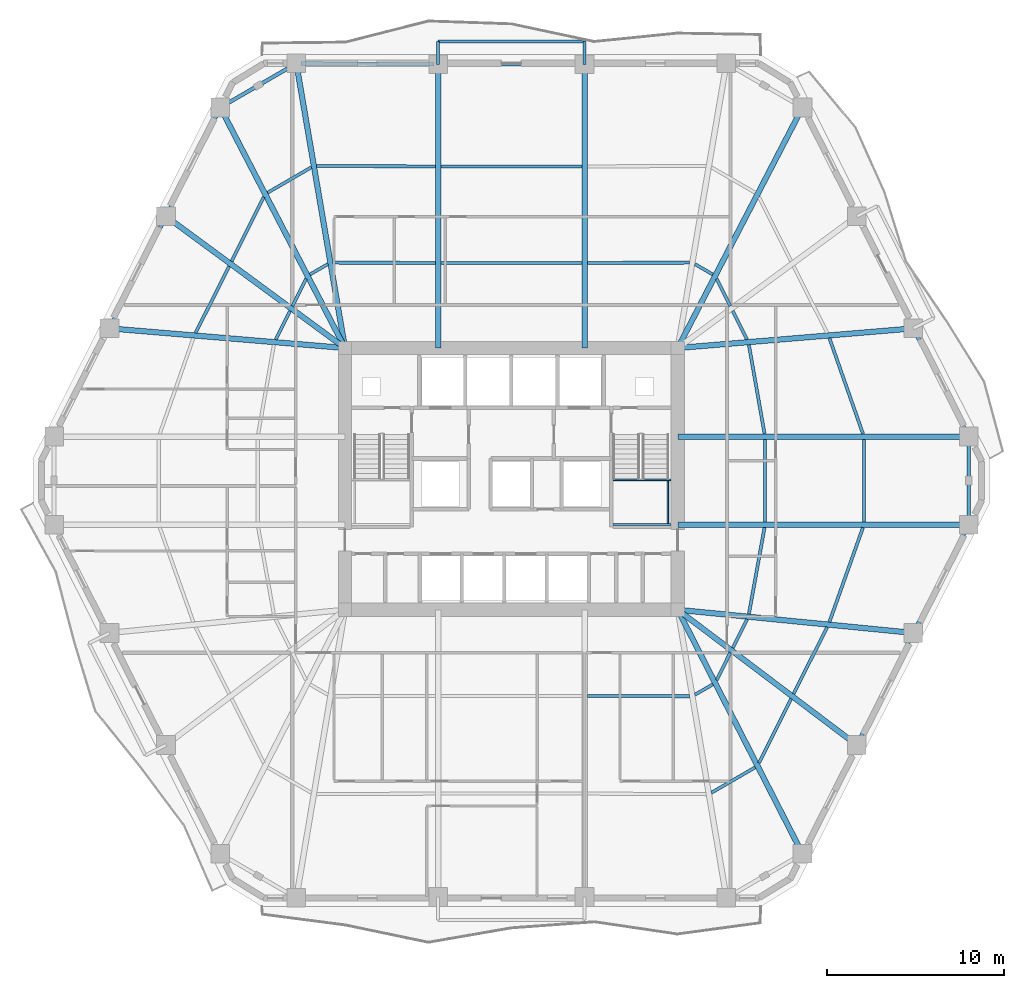
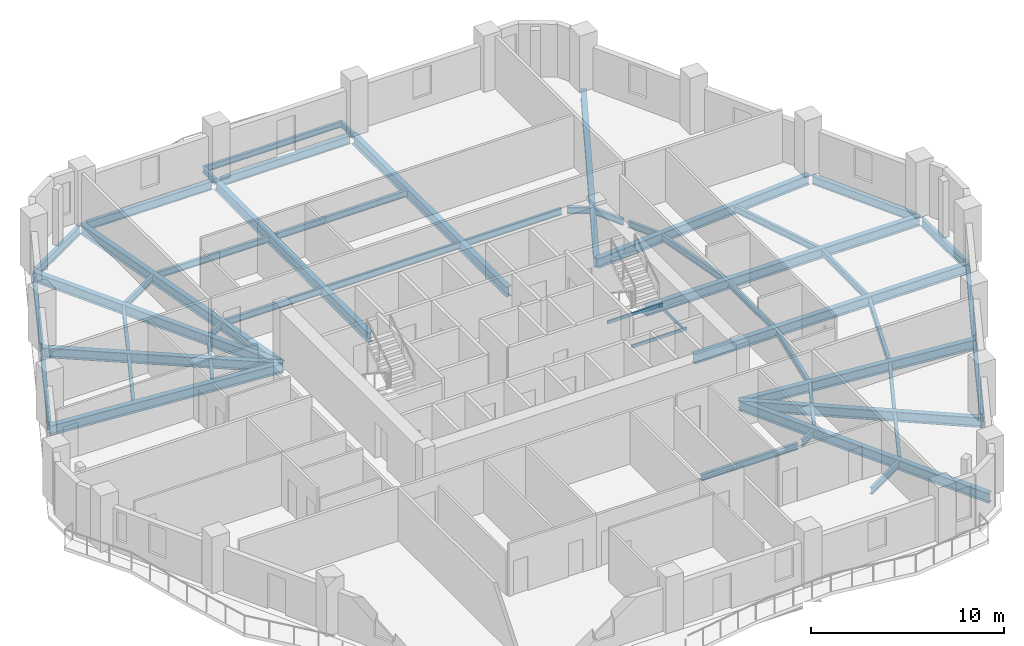
# One storey, part 2 of 11: 55 beams.
"""IFC4 building model written with IfcOpenShell, lengths in metres."""

from ifc_helpers import new_model, si_unit, direction, frame, origin, origin_2d, place, context, subcontext, project, spatial, hollow_rectangle, i_section, extrude, material, material_profile, profile_set, type_object, element, save


model = new_model("IFC4")

# Units and contexts
model_context = context("Model", 3, precision=1e-05, world=origin(), true_north=direction((0.0, 1.0)))
body_context = subcontext(model_context, "Body", "Model", "MODEL_VIEW")
ifc_project = project(units=[si_unit("LENGTHUNIT", "METRE"), si_unit("AREAUNIT", "SQUARE_METRE"), si_unit("VOLUMEUNIT", "CUBIC_METRE"), si_unit("PLANEANGLEUNIT", "RADIAN"), si_unit("MASSUNIT", "GRAM", prefix="KILO")], contexts=[model_context])

# Site, building, storey
site_placement = place(None, origin())
site = spatial("IfcSite", under=ifc_project, at=site_placement, CompositionType="ELEMENT")
building_placement = place(site_placement, origin())
building = spatial("IfcBuilding", under=site, at=building_placement, Name="Cinnabar Lancet Tower", CompositionType="ELEMENT")
storey_placement = place(building_placement, frame((0.0, 0.0, 90.64990234375)))
storey = spatial("IfcBuildingStorey", under=building, at=storey_placement, Name="L23", CompositionType="ELEMENT", Elevation=90.64990234375)

# Beams
ifc_material_1 = material(Name="Structural steel S355", Category="steel")
ifc_material_profile_1 = material_profile(ifc_material_1, i_section(OverallWidth=0.177978515625, OverallDepth=0.406494140625, WebThickness=0.0078125, FlangeThickness=0.0126953125, FilletRadius=0.01025390625, at=origin_2d()), Name="UKB 406x178x60")
ifc_profile_set_1 = profile_set([ifc_material_profile_1], Name="Structural steel S355")
beam_type_1 = type_object("IfcBeamType", Name="STR-BM-JST-406", PredefinedType="JOIST", material=ifc_profile_set_1)
beam_1_placement = place(storey_placement, frame((36.676025390625, 13.669921875, -0.4228515625), z_axis=(0.999996664369, -0.002582876594, 0.0), x_axis=(0.002582876594, 0.999996664369, 0.0)))
element("IfcBeam", 1, at=beam_1_placement, inside=storey, type_object=beam_type_1, Name="L23 Secondary Floor Joist 14", PredefinedType="JOIST", context=body_context, shape_type="SweptSolid", body=[
    extrude(i_section(OverallWidth=0.177978515625, OverallDepth=0.406494140625, WebThickness=0.0078125, FlangeThickness=0.0126953125, FilletRadius=0.01025390625, at=origin_2d()), origin(), (0.0, 0.0, 1.0), 5.765869140625),
])
beam_2_placement = place(storey_placement, frame((43.672119140625, 8.216064453125, -0.4228515625), z_axis=(0.865092099041, 0.501613058219, 0.0), x_axis=(-0.501613058219, 0.865092099041, 0.0)))
element("IfcBeam", 2, at=beam_2_placement, inside=storey, type_object=beam_type_1, Name="L23 Secondary Floor Joist 15", PredefinedType="JOIST", context=body_context, shape_type="SweptSolid", body=[
    extrude(i_section(OverallWidth=0.177978515625, OverallDepth=0.406494140625, WebThickness=0.0078125, FlangeThickness=0.0126953125, FilletRadius=0.01025390625, at=origin_2d()), origin(), (0.0, 0.0, 1.0), 2.8525390625),
])
beam_3_placement = place(storey_placement, frame((42.739013671875, 13.736083984375, -0.4228515625), z_axis=(0.865192550274, 0.50143977799, 0.0), x_axis=(-0.50143977799, 0.865192550274, 0.0)))
element("IfcBeam", 3, at=beam_3_placement, inside=storey, type_object=beam_type_1, Name="L23 Secondary Floor Joist 16", PredefinedType="JOIST", context=body_context, shape_type="SweptSolid", body=[
    extrude(i_section(OverallWidth=0.177978515625, OverallDepth=0.406494140625, WebThickness=0.0078125, FlangeThickness=0.0126953125, FilletRadius=0.01025390625, at=origin_2d()), origin(), (0.0, 0.0, 1.0), 1.16845703125),
])
beam_4_placement = place(storey_placement, frame((46.35791015625, 9.89501953125, -0.4228515625), z_axis=(0.445835127839, 0.895115098065, 0.0), x_axis=(-0.895115098065, 0.445835127839, 0.0)))
element("IfcBeam", 4, at=beam_4_placement, inside=storey, type_object=beam_type_1, Name="L23 Secondary Floor Joist 17", PredefinedType="JOIST", context=body_context, shape_type="SweptSolid", body=[
    extrude(i_section(OverallWidth=0.177978515625, OverallDepth=0.406494140625, WebThickness=0.0078125, FlangeThickness=0.0126953125, FilletRadius=0.01025390625, at=origin_2d()), origin(), (0.0, 0.0, 1.0), 4.03955078125),
])
beam_5_placement = place(storey_placement, frame((43.968994140625, 14.570068359375, -0.4228515625), z_axis=(0.44578468599, 0.895140220154, 0.0), x_axis=(-0.895140220154, 0.44578468599, 0.0)))
element("IfcBeam", 5, at=beam_5_placement, inside=storey, type_object=beam_type_1, Name="L23 Secondary Floor Joist 18", PredefinedType="JOIST", context=body_context, shape_type="SweptSolid", body=[
    extrude(i_section(OverallWidth=0.177978515625, OverallDepth=0.406494140625, WebThickness=0.0078125, FlangeThickness=0.0126953125, FilletRadius=0.01025390625, at=origin_2d()), origin(), (0.0, 0.0, 1.0), 1.709228515625),
])
beam_6_placement = place(storey_placement, frame((48.299072265625, 13.7900390625, -0.4228515625), z_axis=(0.45074077851, 0.89265488885, 0.0), x_axis=(-0.89265488885, 0.45074077851, 0.0)))
element("IfcBeam", 6, at=beam_6_placement, inside=storey, type_object=beam_type_1, Name="L23 Secondary Floor Joist 19", PredefinedType="JOIST", context=body_context, shape_type="SweptSolid", body=[
    extrude(i_section(OverallWidth=0.177978515625, OverallDepth=0.406494140625, WebThickness=0.0078125, FlangeThickness=0.0126953125, FilletRadius=0.01025390625, at=origin_2d()), origin(), (0.0, 0.0, 1.0), 4.204345703125),
])
beam_7_placement = place(storey_placement, frame((44.87109375, 16.37890625, -0.4228515625), z_axis=(0.450193420622, 0.892931063425, 0.0), x_axis=(-0.892931063425, 0.450193420622, 0.0)))
element("IfcBeam", 7, at=beam_7_placement, inside=storey, type_object=beam_type_1, Name="L23 Secondary Floor Joist 20", PredefinedType="JOIST", context=body_context, shape_type="SweptSolid", body=[
    extrude(i_section(OverallWidth=0.177978515625, OverallDepth=0.406494140625, WebThickness=0.0078125, FlangeThickness=0.0126953125, FilletRadius=0.01025390625, at=origin_2d()), origin(), (0.0, 0.0, 1.0), 1.801025390625),
])
beam_8_placement = place(storey_placement, frame((50.321044921875, 17.839111328125, -0.4228515625), z_axis=(0.334856984646, 0.942268963637, 0.0), x_axis=(-0.942268963637, 0.334856984646, 0.0)))
element("IfcBeam", 8, at=beam_8_placement, inside=storey, type_object=beam_type_1, Name="L23 Secondary Floor Joist 21", PredefinedType="JOIST", context=body_context, shape_type="SweptSolid", body=[
    extrude(i_section(OverallWidth=0.177978515625, OverallDepth=0.406494140625, WebThickness=0.0078125, FlangeThickness=0.0126953125, FilletRadius=0.01025390625, at=origin_2d()), origin(), (0.0, 0.0, 1.0), 5.646728515625),
])
beam_9_placement = place(storey_placement, frame((45.783935546875, 18.284912109375, -0.4228515625), z_axis=(0.177857522222, 0.984056249301, 0.0), x_axis=(-0.984056249301, 0.177857522222, 0.0)))
element("IfcBeam", 9, at=beam_9_placement, inside=storey, type_object=beam_type_1, Name="L23 Secondary Floor Joist 22", PredefinedType="JOIST", context=body_context, shape_type="SweptSolid", body=[
    extrude(i_section(OverallWidth=0.177978515625, OverallDepth=0.406494140625, WebThickness=0.0078125, FlangeThickness=0.0126953125, FilletRadius=0.01025390625, at=origin_2d()), origin(), (0.0, 0.0, 1.0), 4.9541015625),
])
for number, where, z_axis, x_axis, name in (
    (10, (52.26708984375, 23.468017578125, -0.4228515625), (0.0, 1.0, 0.0), (-1.0, 0.0, 0.0), "L23 Secondary Floor Joist 23"),
    (11, (46.693115234375, 23.468017578125, -0.4228515625), (0.0, 1.0, 0.0), (-1.0, 0.0, 0.0), "L23 Secondary Floor Joist 24"),
):
    element("IfcBeam", number, at=place(storey_placement, frame(where, z_axis=z_axis, x_axis=x_axis)), inside=storey, type_object=beam_type_1, Name=name, PredefinedType="JOIST", context=body_context, shape_type="SweptSolid", body=[
        extrude(i_section(OverallWidth=0.177978515625, OverallDepth=0.406494140625, WebThickness=0.0078125, FlangeThickness=0.0126953125, FilletRadius=0.01025390625, at=origin_2d()), origin(), (0.0, 0.0, 1.0), 4.6640625),
    ])
beam_10_placement = place(storey_placement, frame((52.212890625, 28.43994140625, -0.4228515625), z_axis=(-0.331069693644, 0.943606304531, 0.0), x_axis=(-0.943606304531, -0.331069693644, 0.0)))
element("IfcBeam", 12, at=beam_10_placement, inside=storey, type_object=beam_type_1, Name="L23 Secondary Floor Joist 25", PredefinedType="JOIST", context=body_context, shape_type="SweptSolid", body=[
    extrude(i_section(OverallWidth=0.177978515625, OverallDepth=0.406494140625, WebThickness=0.0078125, FlangeThickness=0.0126953125, FilletRadius=0.01025390625, at=origin_2d()), origin(), (0.0, 0.0, 1.0), 5.71435546875),
])
beam_11_placement = place(storey_placement, frame((46.666015625, 28.43994140625, -0.4228515625), z_axis=(-0.173410624156, 0.984849610565, 0.0), x_axis=(-0.984849610565, -0.173410624156, 0.0)))
element("IfcBeam", 13, at=beam_11_placement, inside=storey, type_object=beam_type_1, Name="L23 Secondary Floor Joist 26", PredefinedType="JOIST", context=body_context, shape_type="SweptSolid", body=[
    extrude(i_section(OverallWidth=0.177978515625, OverallDepth=0.406494140625, WebThickness=0.0078125, FlangeThickness=0.0126953125, FilletRadius=0.01025390625, at=origin_2d()), origin(), (0.0, 0.0, 1.0), 5.09228515625),
])
beam_12_placement = place(storey_placement, frame((45.681884765625, 33.75390625, -0.4228515625), z_axis=(-0.450843773183, 0.892602874845, 0.0), x_axis=(-0.892602874845, -0.450843773183, 0.0)))
element("IfcBeam", 14, at=beam_12_placement, inside=storey, type_object=beam_type_1, Name="L23 Secondary Floor Joist 28", PredefinedType="JOIST", context=body_context, shape_type="SweptSolid", body=[
    extrude(i_section(OverallWidth=0.177978515625, OverallDepth=0.406494140625, WebThickness=0.0078125, FlangeThickness=0.0126953125, FilletRadius=0.01025390625, at=origin_2d()), origin(), (0.0, 0.0, 1.0), 1.800537109375),
])
beam_13_placement = place(storey_placement, frame((44.73095703125, 35.638916015625, -0.4228515625), z_axis=(-0.446014307296, 0.895025830737, 0.0), x_axis=(-0.895025830737, -0.446014307296, 0.0)))
element("IfcBeam", 15, at=beam_13_placement, inside=storey, type_object=beam_type_1, Name="L23 Secondary Floor Joist 30", PredefinedType="JOIST", context=body_context, shape_type="SweptSolid", body=[
    extrude(i_section(OverallWidth=0.177978515625, OverallDepth=0.406494140625, WebThickness=0.0078125, FlangeThickness=0.0126953125, FilletRadius=0.01025390625, at=origin_2d()), origin(), (0.0, 0.0, 1.0), 1.710693359375),
])
beam_14_placement = place(storey_placement, frame((43.75, 37.41796875, -0.4228515625), z_axis=(-0.865192550274, 0.50143977799, 0.0), x_axis=(-0.50143977799, -0.865192550274, 0.0)))
element("IfcBeam", 16, at=beam_14_placement, inside=storey, type_object=beam_type_1, Name="L23 Secondary Floor Joist 32", PredefinedType="JOIST", context=body_context, shape_type="SweptSolid", body=[
    extrude(i_section(OverallWidth=0.177978515625, OverallDepth=0.406494140625, WebThickness=0.0078125, FlangeThickness=0.0126953125, FilletRadius=0.01025390625, at=origin_2d()), origin(), (0.0, 0.0, 1.0), 1.16845703125),
])
beam_15_placement = place(storey_placement, frame((42.44189453125, 38.0849609375, -0.4228515625), z_axis=(-0.999996664369, -0.002582876594, 0.0), x_axis=(0.002582876594, -0.999996664369, 0.0)))
element("IfcBeam", 17, at=beam_15_placement, inside=storey, type_object=beam_type_1, Name="L23 Secondary Floor Joist 34", PredefinedType="JOIST", context=body_context, shape_type="SweptSolid", body=[
    extrude(i_section(OverallWidth=0.177978515625, OverallDepth=0.406494140625, WebThickness=0.0078125, FlangeThickness=0.0126953125, FilletRadius=0.01025390625, at=origin_2d()), origin(), (0.0, 0.0, 1.0), 5.765869140625),
])
for number, where, z_axis, x_axis, name in (
    (18, (36.367919921875, 43.50390625, -0.4228515625), (-1.0, 0.0, 0.0), (0.0, -1.0, 0.0), "L23 Secondary Floor Joist 35"),
    (19, (36.367919921875, 38.070068359375, -0.4228515625), (-1.0, 0.0, 0.0), (0.0, -1.0, 0.0), "L23 Secondary Floor Joist 36"),
):
    element("IfcBeam", number, at=place(storey_placement, frame(where, z_axis=z_axis, x_axis=x_axis)), inside=storey, type_object=beam_type_1, Name=name, PredefinedType="JOIST", context=body_context, shape_type="SweptSolid", body=[
        extrude(i_section(OverallWidth=0.177978515625, OverallDepth=0.406494140625, WebThickness=0.0078125, FlangeThickness=0.0126953125, FilletRadius=0.01025390625, at=origin_2d()), origin(), (0.0, 0.0, 1.0), 7.93603515625),
    ])
beam_16_placement = place(storey_placement, frame((28.1240234375, 43.5048828125, -0.4228515625), z_axis=(-0.999988425549, 0.004811316646, 0.0), x_axis=(-0.004811316646, -0.999988425549, 0.0)))
element("IfcBeam", 20, at=beam_16_placement, inside=storey, type_object=beam_type_1, Name="L23 Secondary Floor Joist 37", PredefinedType="JOIST", context=body_context, shape_type="SweptSolid", body=[
    extrude(i_section(OverallWidth=0.177978515625, OverallDepth=0.406494140625, WebThickness=0.0078125, FlangeThickness=0.0126953125, FilletRadius=0.01025390625, at=origin_2d()), origin(), (0.0, 0.0, 1.0), 6.697998046875),
])
beam_17_placement = place(storey_placement, frame((28.1240234375, 38.070068359375, -0.4228515625), z_axis=(-0.999996664651, 0.002582767234, 0.0), x_axis=(-0.002582767234, -0.999996664651, 0.0)))
element("IfcBeam", 21, at=beam_17_placement, inside=storey, type_object=beam_type_1, Name="L23 Secondary Floor Joist 38", PredefinedType="JOIST", context=body_context, shape_type="SweptSolid", body=[
    extrude(i_section(OverallWidth=0.177978515625, OverallDepth=0.406494140625, WebThickness=0.0078125, FlangeThickness=0.0126953125, FilletRadius=0.01025390625, at=origin_2d()), origin(), (0.0, 0.0, 1.0), 5.76611328125),
])
beam_18_placement = place(storey_placement, frame((21.1279296875, 43.4560546875, -0.4228515625), z_axis=(-0.865076496111, -0.501639966387, 0.0), x_axis=(0.501639966387, -0.865076496111, 0.0)))
element("IfcBeam", 22, at=beam_18_placement, inside=storey, type_object=beam_type_1, Name="L23 Secondary Floor Joist 39", PredefinedType="JOIST", context=body_context, shape_type="SweptSolid", body=[
    extrude(i_section(OverallWidth=0.177978515625, OverallDepth=0.406494140625, WebThickness=0.0078125, FlangeThickness=0.0126953125, FilletRadius=0.01025390625, at=origin_2d()), origin(), (0.0, 0.0, 1.0), 2.85302734375),
])
beam_19_placement = place(storey_placement, frame((22.06103515625, 38.00390625, -0.4228515625), z_axis=(-0.865192550274, -0.50143977799, 0.0), x_axis=(0.50143977799, -0.865192550274, 0.0)))
element("IfcBeam", 23, at=beam_19_placement, inside=storey, type_object=beam_type_1, Name="L23 Secondary Floor Joist 40", PredefinedType="JOIST", context=body_context, shape_type="SweptSolid", body=[
    extrude(i_section(OverallWidth=0.177978515625, OverallDepth=0.406494140625, WebThickness=0.0078125, FlangeThickness=0.0126953125, FilletRadius=0.01025390625, at=origin_2d()), origin(), (0.0, 0.0, 1.0), 1.16845703125),
])
beam_20_placement = place(storey_placement, frame((18.44189453125, 41.778076171875, -0.4228515625), z_axis=(-0.445666146216, -0.895199243809, 0.0), x_axis=(0.895199243809, -0.445666146216, 0.0)))
element("IfcBeam", 24, at=beam_20_placement, inside=storey, type_object=beam_type_1, Name="L23 Secondary Floor Joist 41", PredefinedType="JOIST", context=body_context, shape_type="SweptSolid", body=[
    extrude(i_section(OverallWidth=0.177978515625, OverallDepth=0.406494140625, WebThickness=0.0078125, FlangeThickness=0.0126953125, FilletRadius=0.01025390625, at=origin_2d()), origin(), (0.0, 0.0, 1.0), 4.040771484375),
])
beam_21_placement = place(storey_placement, frame((20.83203125, 37.169921875, -0.4228515625), z_axis=(-0.446014307296, -0.895025830737, 0.0), x_axis=(0.895025830737, -0.446014307296, 0.0)))
element("IfcBeam", 25, at=beam_21_placement, inside=storey, type_object=beam_type_1, Name="L23 Secondary Floor Joist 42", PredefinedType="JOIST", context=body_context, shape_type="SweptSolid", body=[
    extrude(i_section(OverallWidth=0.177978515625, OverallDepth=0.406494140625, WebThickness=0.0078125, FlangeThickness=0.0126953125, FilletRadius=0.01025390625, at=origin_2d()), origin(), (0.0, 0.0, 1.0), 1.710693359375),
])
beam_22_placement = place(storey_placement, frame((16.5009765625, 37.882080078125, -0.4228515625), z_axis=(-0.450810882677, -0.892619486713, 0.0), x_axis=(0.892619486713, -0.450810882677, 0.0)))
element("IfcBeam", 26, at=beam_22_placement, inside=storey, type_object=beam_type_1, Name="L23 Secondary Floor Joist 43", PredefinedType="JOIST", context=body_context, shape_type="SweptSolid", body=[
    extrude(i_section(OverallWidth=0.177978515625, OverallDepth=0.406494140625, WebThickness=0.0078125, FlangeThickness=0.0126953125, FilletRadius=0.01025390625, at=origin_2d()), origin(), (0.0, 0.0, 1.0), 4.20361328125),
])
beam_23_placement = place(storey_placement, frame((19.929931640625, 35.361083984375, -0.4228515625), z_axis=(-0.450951794921, -0.892548306064, 0.0), x_axis=(0.892548306064, -0.450951794921, 0.0)))
element("IfcBeam", 27, at=beam_23_placement, inside=storey, type_object=beam_type_1, Name="L23 Secondary Floor Joist 44", PredefinedType="JOIST", context=body_context, shape_type="SweptSolid", body=[
    extrude(i_section(OverallWidth=0.177978515625, OverallDepth=0.406494140625, WebThickness=0.0078125, FlangeThickness=0.0126953125, FilletRadius=0.01025390625, at=origin_2d()), origin(), (0.0, 0.0, 1.0), 1.80078125),
])
ifc_material_2 = material(Name="Structural steel S355", Category="steel")
ifc_material_profile_2 = material_profile(ifc_material_2, hollow_rectangle(XDim=0.10009765625, YDim=0.199951171875, WallThickness=0.008056640625, InnerFilletRadius=0.00390625, OuterFilletRadius=0.011962890625, at=origin_2d()), Name="RHS 200x100x8")
ifc_profile_set_2 = profile_set([ifc_material_profile_2], Name="Structural steel S355")
beam_type_2 = type_object("IfcBeamType", Name="STR-BM-LND-203", PredefinedType="BEAM", material=ifc_profile_set_2)
for number, where, z_axis, x_axis, name in (
    (28, (38.1201171875, 23.330078125, 1.47509765625), (1.0, 0.0, 0.0), (0.0, 1.0, 0.0), "L23 ST-2-L23 Landing Support Beam S"),
    (29, (38.1201171875, 25.844970703125, 1.47509765625), (1.0, 0.0, 0.0), (0.0, 1.0, 0.0), "L23 ST-2-L23 Landing Support Beam N"),
):
    element("IfcBeam", number, at=place(storey_placement, frame(where, z_axis=z_axis, x_axis=x_axis)), inside=storey, type_object=beam_type_2, Name=name, PredefinedType="BEAM", context=body_context, shape_type="SweptSolid", body=[
        extrude(hollow_rectangle(XDim=0.10009765625, YDim=0.199951171875, WallThickness=0.008056640625, InnerFilletRadius=0.00390625, OuterFilletRadius=0.011962890625, at=origin_2d()), origin(), (0.0, 0.0, 1.0), 3.27978515625),
    ])
beam_24_placement = place(storey_placement, frame((41.219970703125, 23.3798828125, 1.47509765625), z_axis=(0.0, 1.0, 0.0), x_axis=(-1.0, 0.0, 0.0)))
element("IfcBeam", 30, at=beam_24_placement, inside=storey, type_object=beam_type_2, Name="L23 ST-2-L23 Landing Side Trimmer Beam", PredefinedType="BEAM", context=body_context, shape_type="SweptSolid", body=[
    extrude(hollow_rectangle(XDim=0.10009765625, YDim=0.199951171875, WallThickness=0.008056640625, InnerFilletRadius=0.00390625, OuterFilletRadius=0.011962890625, at=origin_2d()), origin(), (0.0, 0.0, 1.0), 2.4150390625),
])
ifc_material_3 = material(Name="Structural steel S355", Category="steel")
ifc_material_profile_3 = material_profile(ifc_material_3, i_section(OverallWidth=0.209228515625, OverallDepth=0.533203125, WebThickness=0.010009765625, FlangeThickness=0.015625, FilletRadius=0.0126953125, at=origin_2d()), Name="UKB 533x210x92")
ifc_profile_set_3 = profile_set([ifc_material_profile_3], Name="Structural steel S355")
beam_type_3 = type_object("IfcBeamType", Name="STR-BM-SPN-533", PredefinedType="SPANDREL", material=ifc_profile_set_3)
beam_25_placement = place(storey_placement, frame((51.971923828125, 11.132080078125, -0.48681640625), z_axis=(0.450703143926, 0.892673891214, 0.0), x_axis=(-0.892673891214, 0.450703143926, 0.0)))
element("IfcBeam", 31, at=beam_25_placement, inside=storey, type_object=beam_type_3, Name="L23 Perimeter Spandrel 6", PredefinedType="SPANDREL", context=body_context, shape_type="SweptSolid", body=[
    extrude(i_section(OverallWidth=0.209228515625, OverallDepth=0.533203125, WebThickness=0.010009765625, FlangeThickness=0.015625, FilletRadius=0.0126953125, at=origin_2d()), origin(), (0.0, 0.0, 1.0), 6.570068359375),
])
beam_26_placement = place(storey_placement, frame((55.159912109375, 17.443115234375, -0.48681640625), z_axis=(0.456024522632, 0.889967209934, 0.0), x_axis=(-0.889967209934, 0.456024522632, 0.0)))
element("IfcBeam", 32, at=beam_26_placement, inside=storey, type_object=beam_type_3, Name="L23 Perimeter Spandrel 7", PredefinedType="SPANDREL", context=body_context, shape_type="SweptSolid", body=[
    extrude(i_section(OverallWidth=0.209228515625, OverallDepth=0.533203125, WebThickness=0.010009765625, FlangeThickness=0.015625, FilletRadius=0.0126953125, at=origin_2d()), origin(), (0.0, 0.0, 1.0), 6.34619140625),
])
beam_27_placement = place(storey_placement, frame((58.16796875, 23.56396484375, -0.48681640625), z_axis=(0.0, 1.0, 0.0), x_axis=(-1.0, 0.0, 0.0)))
element("IfcBeam", 33, at=beam_27_placement, inside=storey, type_object=beam_type_3, Name="L23 Perimeter Spandrel 8", PredefinedType="SPANDREL", context=body_context, shape_type="SweptSolid", body=[
    extrude(i_section(OverallWidth=0.209228515625, OverallDepth=0.533203125, WebThickness=0.010009765625, FlangeThickness=0.015625, FilletRadius=0.0126953125, at=origin_2d()), origin(), (0.0, 0.0, 1.0), 4.471923828125),
])
beam_28_placement = place(storey_placement, frame((58.053955078125, 28.509033203125, -0.48681640625), z_axis=(-0.456024522632, 0.889967209934, 0.0), x_axis=(-0.889967209934, -0.456024522632, 0.0)))
element("IfcBeam", 34, at=beam_28_placement, inside=storey, type_object=beam_type_3, Name="L23 Perimeter Spandrel 9", PredefinedType="SPANDREL", context=body_context, shape_type="SweptSolid", body=[
    extrude(i_section(OverallWidth=0.209228515625, OverallDepth=0.533203125, WebThickness=0.010009765625, FlangeThickness=0.015625, FilletRadius=0.0126953125, at=origin_2d()), origin(), (0.0, 0.0, 1.0), 6.34619140625),
])
beam_29_placement = place(storey_placement, frame((36.27197265625, 49.258056640625, -0.48681640625), z_axis=(-1.0, 0.0, 0.0), x_axis=(0.0, -1.0, 0.0)))
element("IfcBeam", 35, at=beam_29_placement, inside=storey, type_object=beam_type_3, Name="L23 Perimeter Spandrel 14", PredefinedType="SPANDREL", context=body_context, shape_type="SweptSolid", body=[
    extrude(i_section(OverallWidth=0.209228515625, OverallDepth=0.533203125, WebThickness=0.010009765625, FlangeThickness=0.015625, FilletRadius=0.0126953125, at=origin_2d()), origin(), (0.0, 0.0, 1.0), 7.743896484375),
])
beam_30_placement = place(storey_placement, frame((28.028076171875, 49.260009765625, -0.48681640625), z_axis=(-0.99997856757, 0.006547090947, 0.0), x_axis=(-0.006547090947, -0.99997856757, 0.0)))
element("IfcBeam", 36, at=beam_30_placement, inside=storey, type_object=beam_type_3, Name="L23 Perimeter Spandrel 15", PredefinedType="SPANDREL", context=body_context, shape_type="SweptSolid", body=[
    extrude(i_section(OverallWidth=0.209228515625, OverallDepth=0.533203125, WebThickness=0.010009765625, FlangeThickness=0.015625, FilletRadius=0.0126953125, at=origin_2d()), origin(), (0.0, 0.0, 1.0), 7.495361328125),
])
beam_31_placement = place(storey_placement, frame((20.06689453125, 49.18603515625, -0.48681640625), z_axis=(-0.865147238596, -0.501517951374, 0.0), x_axis=(0.501517951374, -0.865147238596, 0.0)))
element("IfcBeam", 37, at=beam_31_placement, inside=storey, type_object=beam_type_3, Name="L23 Perimeter Spandrel 16", PredefinedType="SPANDREL", context=body_context, shape_type="SweptSolid", body=[
    extrude(i_section(OverallWidth=0.209228515625, OverallDepth=0.533203125, WebThickness=0.010009765625, FlangeThickness=0.015625, FilletRadius=0.0126953125, at=origin_2d()), origin(), (0.0, 0.0, 1.0), 4.454833984375),
])
beam_32_placement = place(storey_placement, frame((15.885986328125, 46.60302734375, -0.48681640625), z_axis=(-0.445953050023, -0.89505635419, 0.0), x_axis=(0.89505635419, -0.445953050023, 0.0)))
element("IfcBeam", 38, at=beam_32_placement, inside=storey, type_object=beam_type_3, Name="L23 Perimeter Spandrel 17", PredefinedType="SPANDREL", context=body_context, shape_type="SweptSolid", body=[
    extrude(i_section(OverallWidth=0.209228515625, OverallDepth=0.533203125, WebThickness=0.010009765625, FlangeThickness=0.015625, FilletRadius=0.0126953125, at=origin_2d()), origin(), (0.0, 0.0, 1.0), 6.35498046875),
])
beam_33_placement = place(storey_placement, frame((12.827880859375, 40.468017578125, -0.48681640625), z_axis=(-0.450673532306, -0.892688841242, 0.0), x_axis=(0.892688841242, -0.450673532306, 0.0)))
element("IfcBeam", 39, at=beam_33_placement, inside=storey, type_object=beam_type_3, Name="L23 Perimeter Spandrel 18", PredefinedType="SPANDREL", context=body_context, shape_type="SweptSolid", body=[
    extrude(i_section(OverallWidth=0.209228515625, OverallDepth=0.533203125, WebThickness=0.010009765625, FlangeThickness=0.015625, FilletRadius=0.0126953125, at=origin_2d()), origin(), (0.0, 0.0, 1.0), 6.570068359375),
])
ifc_material_4 = material(Name="Structural steel S355", Category="steel")
ifc_material_profile_4 = material_profile(ifc_material_4, i_section(OverallWidth=0.30712890625, OverallDepth=0.6201171875, WebThickness=0.01416015625, FlangeThickness=0.023681640625, FilletRadius=0.0166015625, at=origin_2d()), Name="UKB 610x305x179")
ifc_profile_set_4 = profile_set([ifc_material_profile_4], Name="Structural steel S355")
beam_type_4 = type_object("IfcBeamType", Name="STR-BM-UKB610-179", PredefinedType="BEAM", material=ifc_profile_set_4)
beam_34_placement = place(storey_placement, frame((51.85888671875, 10.908935546875, -0.52978515625), z_axis=(-0.797983154837, 0.602679752933, 0.0), x_axis=(-0.602679752933, -0.797983154837, 0.0)))
element("IfcBeam", 40, at=beam_34_placement, inside=storey, type_object=beam_type_4, Name="L23 Corner Collector Girder 2", PredefinedType="BEAM", context=body_context, shape_type="SweptSolid", body=[
    extrude(i_section(OverallWidth=0.30712890625, OverallDepth=0.6201171875, WebThickness=0.01416015625, FlangeThickness=0.023681640625, FilletRadius=0.0166015625, at=origin_2d()), origin(), (0.0, 0.0, 1.0), 12.63671875),
])
beam_35_placement = place(storey_placement, frame((12.94091796875, 40.69091796875, -0.52978515625), z_axis=(0.805600633978, -0.592458959367, 0.0), x_axis=(0.592458959367, 0.805600633978, 0.0)))
element("IfcBeam", 41, at=beam_35_placement, inside=storey, type_object=beam_type_4, Name="L23 Corner Collector Girder 4", PredefinedType="BEAM", context=body_context, shape_type="SweptSolid", body=[
    extrude(i_section(OverallWidth=0.30712890625, OverallDepth=0.6201171875, WebThickness=0.01416015625, FlangeThickness=0.023681640625, FilletRadius=0.0166015625, at=origin_2d()), origin(), (0.0, 0.0, 1.0), 12.517333984375),
])
beam_36_placement = place(storey_placement, frame((48.802978515625, 4.77294921875, -0.52978515625), z_axis=(-0.455075128525, 0.89045304615, 0.0), x_axis=(-0.89045304615, -0.455075128525, 0.0)))
element("IfcBeam", 42, at=beam_36_placement, inside=storey, type_object=beam_type_4, Name="L23 Primary Floor Girder 5", PredefinedType="BEAM", context=body_context, shape_type="SweptSolid", body=[
    extrude(i_section(OverallWidth=0.30712890625, OverallDepth=0.6201171875, WebThickness=0.01416015625, FlangeThickness=0.023681640625, FilletRadius=0.0166015625, at=origin_2d()), origin(), (0.0, 0.0, 1.0), 15.44384765625),
])
beam_37_placement = place(storey_placement, frame((55.0458984375, 17.219970703125, -0.52978515625), z_axis=(-0.995200421983, 0.097857652149, 0.0), x_axis=(-0.097857652149, -0.995200421983, 0.0)))
element("IfcBeam", 43, at=beam_37_placement, inside=storey, type_object=beam_type_4, Name="L23 Primary Floor Girder 7", PredefinedType="BEAM", context=body_context, shape_type="SweptSolid", body=[
    extrude(i_section(OverallWidth=0.30712890625, OverallDepth=0.6201171875, WebThickness=0.01416015625, FlangeThickness=0.023681640625, FilletRadius=0.0166015625, at=origin_2d()), origin(), (0.0, 0.0, 1.0), 13.3349609375),
])
for number, where, z_axis, x_axis, name in (
    (44, (58.16796875, 23.31396484375, -0.52978515625), (-1.0, 0.0, 0.0), (0.0, -1.0, 0.0), "L23 Primary Floor Girder 8"),
    (45, (58.16796875, 28.285888671875, -0.52978515625), (-1.0, 0.0, 0.0), (0.0, -1.0, 0.0), "L23 Primary Floor Girder 9"),
):
    element("IfcBeam", number, at=place(storey_placement, frame(where, z_axis=z_axis, x_axis=x_axis)), inside=storey, type_object=beam_type_4, Name=name, PredefinedType="BEAM", context=body_context, shape_type="SweptSolid", body=[
        extrude(i_section(OverallWidth=0.30712890625, OverallDepth=0.6201171875, WebThickness=0.01416015625, FlangeThickness=0.023681640625, FilletRadius=0.0166015625, at=origin_2d()), origin(), (0.0, 0.0, 1.0), 16.39306640625),
    ])
beam_38_placement = place(storey_placement, frame((55.0458984375, 34.3798828125, -0.52978515625), z_axis=(-0.996551571824, -0.08297568737, 0.0), x_axis=(0.08297568737, -0.996551571824, 0.0)))
element("IfcBeam", 46, at=beam_38_placement, inside=storey, type_object=beam_type_4, Name="L23 Primary Floor Girder 10", PredefinedType="BEAM", context=body_context, shape_type="SweptSolid", body=[
    extrude(i_section(OverallWidth=0.30712890625, OverallDepth=0.6201171875, WebThickness=0.01416015625, FlangeThickness=0.023681640625, FilletRadius=0.0166015625, at=origin_2d()), origin(), (0.0, 0.0, 1.0), 13.31689453125),
])
beam_39_placement = place(storey_placement, frame((48.802978515625, 46.826904296875, -0.52978515625), z_axis=(-0.4603745807, -0.887724757706, 0.0), x_axis=(0.887724757706, -0.4603745807, 0.0)))
element("IfcBeam", 47, at=beam_39_placement, inside=storey, type_object=beam_type_4, Name="L23 Primary Floor Girder 12", PredefinedType="BEAM", context=body_context, shape_type="SweptSolid", body=[
    extrude(i_section(OverallWidth=0.30712890625, OverallDepth=0.6201171875, WebThickness=0.01416015625, FlangeThickness=0.023681640625, FilletRadius=0.0166015625, at=origin_2d()), origin(), (0.0, 0.0, 1.0), 15.26611328125),
])
for number, where, z_axis, x_axis, name in (
    (48, (36.52197265625, 49.258056640625, -0.52978515625), (0.0, -1.0, 0.0), (1.0, 0.0, 0.0), "L23 Primary Floor Girder 14"),
    (49, (28.278076171875, 49.258056640625, -0.52978515625), (0.0, -1.0, 0.0), (1.0, 0.0, 0.0), "L23 Primary Floor Girder 15"),
):
    element("IfcBeam", number, at=place(storey_placement, frame(where, z_axis=z_axis, x_axis=x_axis)), inside=storey, type_object=beam_type_4, Name=name, PredefinedType="BEAM", context=body_context, shape_type="SweptSolid", body=[
        extrude(i_section(OverallWidth=0.30712890625, OverallDepth=0.6201171875, WebThickness=0.01416015625, FlangeThickness=0.023681640625, FilletRadius=0.0166015625, at=origin_2d()), origin(), (0.0, 0.0, 1.0), 15.983154296875),
    ])
beam_40_placement = place(storey_placement, frame((20.282958984375, 49.31103515625, -0.52978515625), z_axis=(0.16853936554, -0.985694923525, 0.0), x_axis=(0.985694923525, 0.16853936554, 0.0)))
element("IfcBeam", 50, at=beam_40_placement, inside=storey, type_object=beam_type_4, Name="L23 Primary Floor Girder 16", PredefinedType="BEAM", context=body_context, shape_type="SweptSolid", body=[
    extrude(i_section(OverallWidth=0.30712890625, OverallDepth=0.6201171875, WebThickness=0.01416015625, FlangeThickness=0.023681640625, FilletRadius=0.0166015625, at=origin_2d()), origin(), (0.0, 0.0, 1.0), 16.268798828125),
])
beam_41_placement = place(storey_placement, frame((15.9970703125, 46.826904296875, -0.52978515625), z_axis=(0.460361977629, -0.887731293553, 0.0), x_axis=(0.887731293553, 0.460361977629, 0.0)))
element("IfcBeam", 51, at=beam_41_placement, inside=storey, type_object=beam_type_4, Name="L23 Primary Floor Girder 17", PredefinedType="BEAM", context=body_context, shape_type="SweptSolid", body=[
    extrude(i_section(OverallWidth=0.30712890625, OverallDepth=0.6201171875, WebThickness=0.01416015625, FlangeThickness=0.023681640625, FilletRadius=0.0166015625, at=origin_2d()), origin(), (0.0, 0.0, 1.0), 15.265869140625),
])
beam_42_placement = place(storey_placement, frame((9.75390625, 34.3798828125, -0.52978515625), z_axis=(0.996551571824, -0.08297568737, 0.0), x_axis=(0.08297568737, 0.996551571824, 0.0)))
element("IfcBeam", 52, at=beam_42_placement, inside=storey, type_object=beam_type_4, Name="L23 Primary Floor Girder 19", PredefinedType="BEAM", context=body_context, shape_type="SweptSolid", body=[
    extrude(i_section(OverallWidth=0.30712890625, OverallDepth=0.6201171875, WebThickness=0.01416015625, FlangeThickness=0.023681640625, FilletRadius=0.0166015625, at=origin_2d()), origin(), (0.0, 0.0, 1.0), 13.31689453125),
])
ifc_material_5 = material(Name="Structural steel S355", Category="steel")
ifc_material_profile_5 = material_profile(ifc_material_5, i_section(OverallWidth=0.17138671875, OverallDepth=0.35498046875, WebThickness=0.00732421875, FlangeThickness=0.011474609375, FilletRadius=0.01025390625, at=origin_2d()), Name="UKB 356x171x51")
ifc_profile_set_5 = profile_set([ifc_material_profile_5], Name="Structural steel S355")
beam_type_5 = type_object("IfcBeamType", Name="STR-BM-WAV-OUT", PredefinedType="BEAM", material=ifc_profile_set_5)
for number, where, z_axis, x_axis, name in (
    (53, (36.52197265625, 49.258056640625, -0.39697265625), (0.0, 1.0, 0.0), (-1.0, 0.0, 0.0), "L23 Face 4 Balcony Outlooker A"),
    (54, (28.278076171875, 49.258056640625, -0.39697265625), (0.0, 1.0, 0.0), (-1.0, 0.0, 0.0), "L23 Face 4 Balcony Outlooker B"),
):
    element("IfcBeam", number, at=place(storey_placement, frame(where, z_axis=z_axis, x_axis=x_axis)), inside=storey, type_object=beam_type_5, Name=name, PredefinedType="BEAM", context=body_context, shape_type="SweptSolid", body=[
        extrude(i_section(OverallWidth=0.17138671875, OverallDepth=0.35498046875, WebThickness=0.00732421875, FlangeThickness=0.011474609375, FilletRadius=0.01025390625, at=origin_2d()), origin(), (0.0, 0.0, 1.0), 1.300048828125),
    ])
ifc_material_6 = material(Name="Structural steel S355", Category="steel")
ifc_material_profile_6 = material_profile(ifc_material_6, i_section(OverallWidth=0.17138671875, OverallDepth=0.35498046875, WebThickness=0.00732421875, FlangeThickness=0.011474609375, FilletRadius=0.01025390625, at=origin_2d()), Name="UKB 356x171x51")
ifc_profile_set_6 = profile_set([ifc_material_profile_6], Name="Structural steel S355")
beam_type_6 = type_object("IfcBeamType", Name="STR-BM-WAV-TRIM", PredefinedType="SPANDREL", material=ifc_profile_set_6)
beam_43_placement = place(storey_placement, frame((36.52197265625, 50.55810546875, -0.39697265625), z_axis=(-1.0, 0.0, 0.0), x_axis=(0.0, -1.0, 0.0)))
element("IfcBeam", 55, at=beam_43_placement, inside=storey, type_object=beam_type_6, Name="L23 Face 4 Balcony Edge Trimmer", PredefinedType="SPANDREL", context=body_context, shape_type="SweptSolid", body=[
    extrude(i_section(OverallWidth=0.17138671875, OverallDepth=0.35498046875, WebThickness=0.00732421875, FlangeThickness=0.011474609375, FilletRadius=0.01025390625, at=origin_2d()), origin(), (0.0, 0.0, 1.0), 8.243896484375),
])

save(model, "model.ifc")
